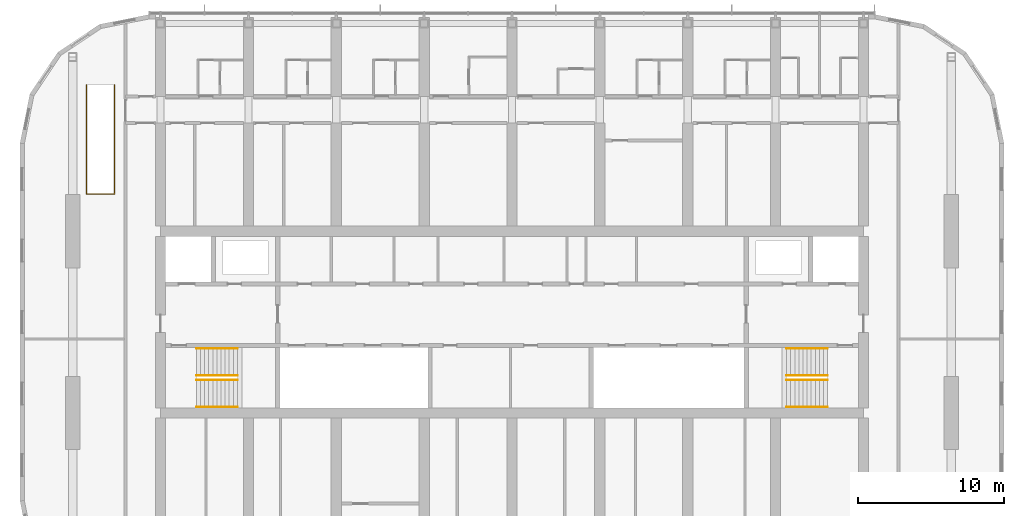
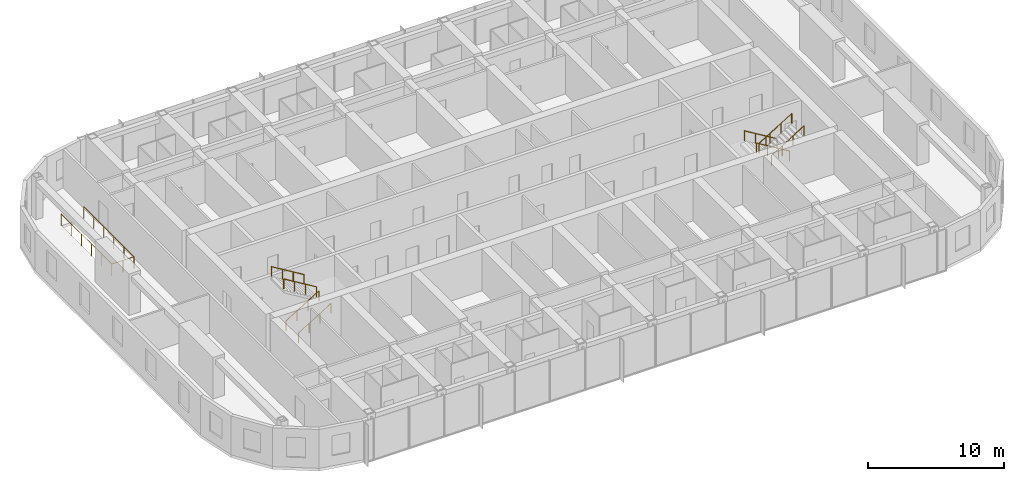
# One storey, part 23 of 23: 9 railings.
"""IFC4 building model written with IfcOpenShell, lengths in metres."""

import ifcopenshell
import ifcopenshell.guid

model = None  # the IFC model being written
_history = None  # IfcOwnerHistory: only IFC2X3 demands one
_inside = {}  # id of a spatial element -> (the spatial element, [elements in it])
_under = {}  # id of a project, library or spatial element -> (it, [spatial elements below it])
_declared = {}  # id of a project -> (the project, [libraries it declares])
_typed = {}  # id of a type object -> (the type object, [elements of that type])
_made_of = {}  # id of a material, layer set ... -> (it, [elements and type objects made of it])


def new_model(schema):
    """Start an empty IFC model of exactly this schema.

    Asked for "IFC4X3", IfcOpenShell would pick the latest addendum, in which some entities
    have other attributes; the version numbers below select the first issue.
    IFC2X3 requires an IfcOwnerHistory on every rooted entity: one is made here for all.
    """
    global model, _history
    if schema == "IFC4X3":
        model = ifcopenshell.file(schema_version=(4, 3, 0, 0))
    else:
        model = ifcopenshell.file(schema=schema)
    _inside.clear()
    _under.clear()
    _declared.clear()
    _typed.clear()
    _made_of.clear()
    _history = None
    if model.schema == "IFC2X3":
        org = make("IfcOrganization", Name="unknown")
        user = make(
            "IfcPersonAndOrganization",
            ThePerson=make("IfcPerson", FamilyName="unknown"),
            TheOrganization=org,
        )
        app = make(
            "IfcApplication",
            ApplicationDeveloper=org,
            Version="unknown",
            ApplicationFullName="unknown",
            ApplicationIdentifier="unknown",
        )
        _history = make(
            "IfcOwnerHistory",
            OwningUser=user,
            OwningApplication=app,
            ChangeAction="ADDED",
            CreationDate=0,
        )
    return model


def make(cls, **values):
    """One entity of the class cls with the attributes given. An attribute that is None is left unset."""
    return model.create_entity(
        cls, **{name: value for name, value in values.items() if value is not None}
    )


def rooted(cls, **values):
    """An entity with a GlobalId (a new one), such as an element, a storey or a relation."""
    return make(cls, GlobalId=ifcopenshell.guid.new(), OwnerHistory=_history, **values)


def si_unit(unit_type, name, prefix=None):
    """IfcSIUnit, for example si_unit("LENGTHUNIT", "METRE", prefix="MILLI")."""
    return make("IfcSIUnit", UnitType=unit_type, Prefix=prefix, Name=name)


def assignment(units):
    """IfcUnitAssignment: the units of a project."""
    return None if units is None else make("IfcUnitAssignment", Units=units)


def point(xyz):
    """IfcCartesianPoint."""
    return None if xyz is None else make("IfcCartesianPoint", Coordinates=xyz)


def direction(xyz):
    """IfcDirection."""
    return None if xyz is None else make("IfcDirection", DirectionRatios=xyz)


def frame(location, z_axis=None, x_axis=None):
    """IfcAxis2Placement3D, a coordinate frame: its origin and axes. An axis left out is left unset."""
    return make(
        "IfcAxis2Placement3D",
        Location=point(location),
        Axis=direction(z_axis),
        RefDirection=direction(x_axis),
    )


def frame_2d(location, x_axis=None):
    """IfcAxis2Placement2D, a coordinate frame in the plane: its origin and x axis."""
    return make(
        "IfcAxis2Placement2D", Location=point(location), RefDirection=direction(x_axis)
    )


def origin():
    """The frame at (0, 0, 0) with its axes left unset."""
    return frame((0.0, 0.0, 0.0))


def origin_2d():
    """The frame at (0, 0) in the plane with its x axis left unset."""
    return frame_2d((0.0, 0.0))


def place(relative_to, where):
    """IfcLocalPlacement: puts the frame where relative to a parent placement (None: the world)."""
    return make(
        "IfcLocalPlacement", PlacementRelTo=relative_to, RelativePlacement=where
    )


def context(
    kind, dimensions, precision=None, world=None, true_north=None, identifier=None
):
    """IfcGeometricRepresentationContext, for example the 3D "Model" context."""
    return make(
        "IfcGeometricRepresentationContext",
        ContextIdentifier=identifier,
        ContextType=kind,
        CoordinateSpaceDimension=dimensions,
        Precision=precision,
        WorldCoordinateSystem=world,
        TrueNorth=true_north,
    )


def subcontext(parent, identifier, kind, view, scale=None):
    """IfcGeometricRepresentationSubContext, for example "Body" below "Model"."""
    return make(
        "IfcGeometricRepresentationSubContext",
        ContextIdentifier=identifier,
        ContextType=kind,
        ParentContext=parent,
        TargetScale=scale,
        TargetView=view,
    )


def project(units=None, contexts=None):
    """IfcProject with its units and contexts."""
    return rooted(
        "IfcProject",
        Name="project",
        RepresentationContexts=contexts,
        UnitsInContext=assignment(units),
    )


def spatial(cls, under=None, at=None, **own):
    """A site, building, storey or space (cls), placed at a placement, below another one or the project."""
    s = rooted(cls, ObjectPlacement=at, **own)
    if under is not None:
        _under.setdefault(under.id(), (under, []))[1].append(s)
    return s


def profile(cls, at=None, kind="AREA", **sizes):
    """A parametric profile (cls). Its sizes go by their IFC names, for example OverallWidth=200.0."""
    return make(cls, ProfileType=kind, Position=at, **sizes)


def circle(**sizes):
    """IfcCircleProfileDef."""
    return profile("IfcCircleProfileDef", **sizes)


def extrude(swept, where, along, depth):
    """IfcExtrudedAreaSolid: the profile swept, set in the frame where, extruded along a direction by depth."""
    return make(
        "IfcExtrudedAreaSolid",
        SweptArea=swept,
        Position=where,
        ExtrudedDirection=direction(along),
        Depth=depth,
    )


def shape(context_of_items, identifier, shape_type, items):
    """IfcShapeRepresentation: the items that make up one representation, for example the "Body"."""
    return make(
        "IfcShapeRepresentation",
        ContextOfItems=context_of_items,
        RepresentationIdentifier=identifier,
        RepresentationType=shape_type,
        Items=items,
    )


def material(Name=None, Category=None):
    """IfcMaterial."""
    return make("IfcMaterial", Name=Name, Category=Category)


def made_of(thing, what):
    """Note that an element or type object is made of a material, layer set ...; save() writes the relation."""
    if what is not None:
        _made_of.setdefault(what.id(), (what, []))[1].append(thing)
    return thing


def type_object(cls, material=None, **own):
    """A type object (cls), such as IfcWallType, which elements share."""
    return made_of(rooted(cls, **own), material)


def element(
    cls,
    number,
    at=None,
    inside=None,
    cuts=None,
    type_object=None,
    material=None,
    context=None,
    identifier="Body",
    shape_type=None,
    held_by="IfcProductDefinitionShape",
    body=None,
    shapes=None,
    **own,
):
    """One element of the class cls, such as IfcWall. Its Tag is "e" and its number.

    at: its placement. inside: the storey or other place that contains it. cuts: it is an
    opening in that element (IfcRelVoidsElement). A single representation is given by context,
    identifier, shape_type and body (its items); several are given by shapes. held_by: the class
    of the entity that holds the representations. save() writes the other relations.
    """
    e = rooted(cls, Tag="e%d" % number, ObjectPlacement=at, **own)
    if body is not None:
        shapes = [shape(context, identifier, shape_type, body)]
    if shapes is not None:
        e.Representation = make(held_by, Representations=shapes)
    if inside is not None:
        _inside.setdefault(inside.id(), (inside, []))[1].append(e)
    if cuts is not None:
        rooted(
            "IfcRelVoidsElement", RelatingBuildingElement=cuts, RelatedOpeningElement=e
        )
    if type_object is not None:
        _typed.setdefault(type_object.id(), (type_object, []))[1].append(e)
    return made_of(e, material)


def aggregate(whole, parts):
    """IfcRelAggregates: a whole, such as a stair, and the parts it consists of."""
    return rooted("IfcRelAggregates", RelatingObject=whole, RelatedObjects=parts)


def save(model, path):
    """Write the relations noted so far, then the file.

    IfcRelAggregates (storeys below a building ...), IfcRelContainedInSpatialStructure (elements
    in a storey), IfcRelDefinesByType, IfcRelAssociatesMaterial and IfcRelDeclares: one each for
    every whole, place, type object, material and project.
    """
    for whole, parts in _under.values():
        aggregate(whole, parts)
    for where, things in _inside.values():
        rooted(
            "IfcRelContainedInSpatialStructure",
            RelatedElements=things,
            RelatingStructure=where,
        )
    for kind, things in _typed.values():
        rooted("IfcRelDefinesByType", RelatedObjects=things, RelatingType=kind)
    for what, things in _made_of.values():
        rooted("IfcRelAssociatesMaterial", RelatedObjects=things, RelatingMaterial=what)
    for by, libraries in _declared.values():
        rooted("IfcRelDeclares", RelatingContext=by, RelatedDefinitions=libraries)
    model.write(path)


model = new_model("IFC4")

# Units and contexts
model_context = context("Model", 3, precision=1e-05, world=origin(), true_north=direction((0.0, 1.0)))
body_context = subcontext(model_context, "Body", "Model", "MODEL_VIEW")
ifc_project = project(units=[si_unit("LENGTHUNIT", "METRE"), si_unit("AREAUNIT", "SQUARE_METRE"), si_unit("VOLUMEUNIT", "CUBIC_METRE"), si_unit("PLANEANGLEUNIT", "RADIAN"), si_unit("MASSUNIT", "GRAM", prefix="KILO")], contexts=[model_context])

# Site, building, storey
site_placement = place(None, origin())
site = spatial("IfcSite", under=ifc_project, at=site_placement, CompositionType="ELEMENT")
building_placement = place(site_placement, origin())
building = spatial("IfcBuilding", under=site, at=building_placement, Name="Orbita Commons", CompositionType="ELEMENT")
storey_placement = place(building_placement, frame((0.0, 0.0, 250.300048828125)))
storey = spatial("IfcBuildingStorey", under=building, at=storey_placement, Name="L62", CompositionType="ELEMENT", Elevation=250.300048828125)

# Railings
ifc_material_1 = material(Name="Steel tube, painted", Category="steel")
railing_type_1 = type_object("IfcRailingType", Name="Stair handrail steel tube 900", PredefinedType="HANDRAIL", material=ifc_material_1)
for number, where, name in (
    (1, (20.449951171875, 28.0400390625, 0.17041015625), "Stair S1 handrail L62 flight 1"),
    (2, (20.449951171875, 26.2099609375, 0.17041015625), "Stair S1 handrail L62 flight 1"),
):
    element("IfcRailing", number, at=place(storey_placement, frame(where)), inside=storey, type_object=railing_type_1, Name=name, PredefinedType="HANDRAIL", context=body_context, shape_type="SweptSolid", body=[
        extrude(circle(Radius=0.02099609375, at=origin_2d()), frame((0.0, 0.0, 0.87890625), z_axis=(0.854169791009, 0.0, 0.51999420009), x_axis=(0.0, 1.0, 0.0)), (0.0, 0.0, 1.0), 3.278076171875),
        extrude(circle(Radius=0.02001953125, at=origin_2d()), origin(), (0.0, 0.0, 1.0), 0.85791015625),
        extrude(circle(Radius=0.02001953125, at=origin_2d()), frame((0.933349609375, 0.0, 0.568115234375)), (0.0, 0.0, 1.0), 0.85791015625),
        extrude(circle(Radius=0.02001953125, at=origin_2d()), frame((1.86669921875, 0.0, 1.136474609375)), (0.0, 0.0, 1.0), 0.85791015625),
        extrude(circle(Radius=0.02001953125, at=origin_2d()), frame((2.800048828125, 0.0, 1.70458984375)), (0.0, 0.0, 1.0), 0.85791015625),
    ])
for number, where, name in (
    (3, (23.25, 28.360107421875, 2.04541015625), "Stair S1 handrail L62 flight 2"),
    (4, (23.25, 30.18994140625, 2.04541015625), "Stair S1 handrail L62 flight 2"),
    (5, (63.550048828125, 28.360107421875, 0.17041015625), "Stair S2 handrail L62 flight 1"),
    (6, (63.550048828125, 30.18994140625, 0.17041015625), "Stair S2 handrail L62 flight 1"),
):
    element("IfcRailing", number, at=place(storey_placement, frame(where)), inside=storey, type_object=railing_type_1, Name=name, PredefinedType="HANDRAIL", context=body_context, shape_type="SweptSolid", body=[
        extrude(circle(Radius=0.02099609375, at=origin_2d()), frame((0.0, 0.0, 0.87890625), z_axis=(-0.854169791009, 0.0, 0.51999420009), x_axis=(0.0, -1.0, 0.0)), (0.0, 0.0, 1.0), 3.278076171875),
        extrude(circle(Radius=0.02001953125, at=origin_2d()), origin(), (0.0, 0.0, 1.0), 0.85791015625),
        extrude(circle(Radius=0.02001953125, at=origin_2d()), frame((-0.933349609375, 0.0, 0.568115234375)), (0.0, 0.0, 1.0), 0.85791015625),
        extrude(circle(Radius=0.02001953125, at=origin_2d()), frame((-1.86669921875, 0.0, 1.136474609375)), (0.0, 0.0, 1.0), 0.85791015625),
        extrude(circle(Radius=0.02001953125, at=origin_2d()), frame((-2.800048828125, 0.0, 1.70458984375)), (0.0, 0.0, 1.0), 0.85791015625),
    ])
for number, where, name in (
    (7, (60.75, 28.0400390625, 2.04541015625), "Stair S2 handrail L62 flight 2"),
    (8, (60.75, 26.2099609375, 2.04541015625), "Stair S2 handrail L62 flight 2"),
):
    element("IfcRailing", number, at=place(storey_placement, frame(where)), inside=storey, type_object=railing_type_1, Name=name, PredefinedType="HANDRAIL", context=body_context, shape_type="SweptSolid", body=[
        extrude(circle(Radius=0.02099609375, at=origin_2d()), frame((0.0, 0.0, 0.87890625), z_axis=(0.854169791009, 0.0, 0.51999420009), x_axis=(0.0, 1.0, 0.0)), (0.0, 0.0, 1.0), 3.278076171875),
        extrude(circle(Radius=0.02001953125, at=origin_2d()), origin(), (0.0, 0.0, 1.0), 0.85791015625),
        extrude(circle(Radius=0.02001953125, at=origin_2d()), frame((0.933349609375, 0.0, 0.568115234375)), (0.0, 0.0, 1.0), 0.85791015625),
        extrude(circle(Radius=0.02001953125, at=origin_2d()), frame((1.86669921875, 0.0, 1.136474609375)), (0.0, 0.0, 1.0), 0.85791015625),
        extrude(circle(Radius=0.02001953125, at=origin_2d()), frame((2.800048828125, 0.0, 1.70458984375)), (0.0, 0.0, 1.0), 0.85791015625),
    ])
ifc_material_2 = material(Name="Laminated glass on steel posts", Category="steel")
railing_type_2 = type_object("IfcRailingType", Name="Void guard, glass on steel posts 1100", PredefinedType="GUARDRAIL", material=ifc_material_2)
railing_placement = place(storey_placement, frame((12.949951171875, 48.199951171875, 0.0)))
element("IfcRailing", 9, at=railing_placement, inside=storey, type_object=railing_type_2, Name="Void guard L62", PredefinedType="GUARDRAIL", context=body_context, shape_type="SweptSolid", body=[
    extrude(circle(Radius=0.02490234375, at=origin_2d()), frame((0.0, 0.0, 1.0751953125), z_axis=(0.0, -1.0, 0.0), x_axis=(1.0, 0.0, 0.0)), (0.0, 0.0, 1.0), 7.449951171875),
    extrude(circle(Radius=0.02490234375, at=origin_2d()), frame((0.0, -7.449951171875, 1.0751953125), z_axis=(1.0, 0.0, 0.0), x_axis=(0.0, 1.0, 0.0)), (0.0, 0.0, 1.0), 1.900146484375),
    extrude(circle(Radius=0.02490234375, at=origin_2d()), frame((1.900146484375, -7.449951171875, 1.0751953125), z_axis=(0.0, 1.0, 0.0), x_axis=(-1.0, 0.0, 0.0)), (0.0, 0.0, 1.0), 7.449951171875),
    extrude(circle(Radius=0.02490234375, at=origin_2d()), origin(), (0.0, 0.0, 1.0), 1.050048828125),
    extrude(circle(Radius=0.02490234375, at=origin_2d()), frame((0.0, -1.489990234375, 0.0)), (0.0, 0.0, 1.0), 1.050048828125),
    extrude(circle(Radius=0.02490234375, at=origin_2d()), frame((0.0, -2.97998046875, 0.0)), (0.0, 0.0, 1.0), 1.050048828125),
    extrude(circle(Radius=0.02490234375, at=origin_2d()), frame((0.0, -4.469970703125, 0.0)), (0.0, 0.0, 1.0), 1.050048828125),
    extrude(circle(Radius=0.02490234375, at=origin_2d()), frame((0.0, -5.9599609375, 0.0)), (0.0, 0.0, 1.0), 1.050048828125),
    extrude(circle(Radius=0.02490234375, at=origin_2d()), frame((0.0, -7.449951171875, 0.0)), (0.0, 0.0, 1.0), 1.050048828125),
    extrude(circle(Radius=0.02490234375, at=origin_2d()), frame((0.9501953125, -7.449951171875, 0.0)), (0.0, 0.0, 1.0), 1.050048828125),
    extrude(circle(Radius=0.02490234375, at=origin_2d()), frame((1.900146484375, -7.449951171875, 0.0)), (0.0, 0.0, 1.0), 1.050048828125),
    extrude(circle(Radius=0.02490234375, at=origin_2d()), frame((1.900146484375, -5.9599609375, 0.0)), (0.0, 0.0, 1.0), 1.050048828125),
    extrude(circle(Radius=0.02490234375, at=origin_2d()), frame((1.900146484375, -4.469970703125, 0.0)), (0.0, 0.0, 1.0), 1.050048828125),
    extrude(circle(Radius=0.02490234375, at=origin_2d()), frame((1.900146484375, -2.97998046875, 0.0)), (0.0, 0.0, 1.0), 1.050048828125),
    extrude(circle(Radius=0.02490234375, at=origin_2d()), frame((1.900146484375, -1.489990234375, 0.0)), (0.0, 0.0, 1.0), 1.050048828125),
    extrude(circle(Radius=0.02490234375, at=origin_2d()), frame((1.900146484375, 0.0, 0.0)), (0.0, 0.0, 1.0), 1.050048828125),
])

save(model, "model.ifc")
